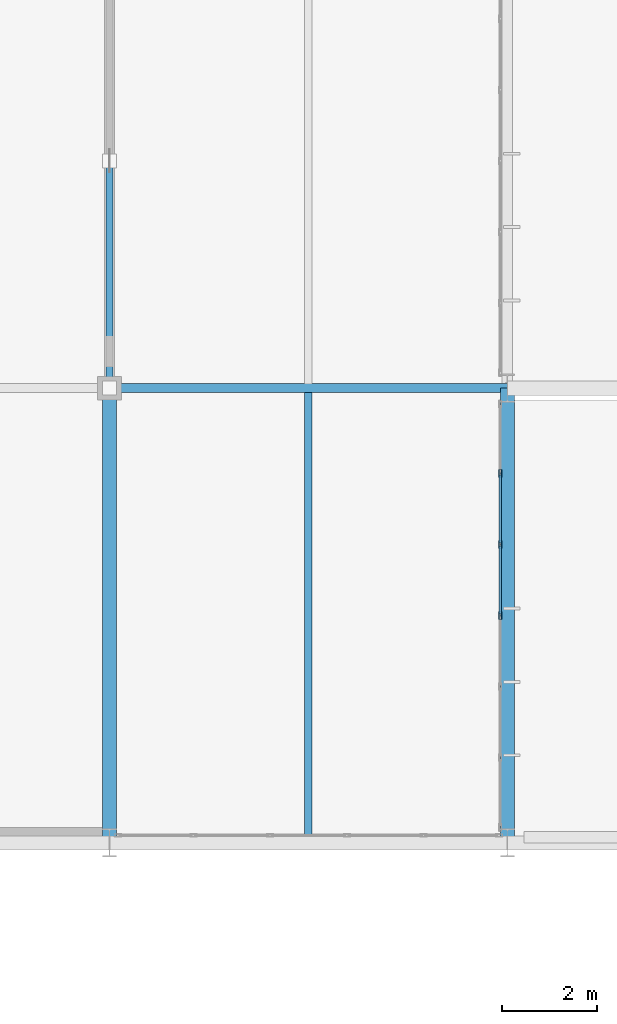
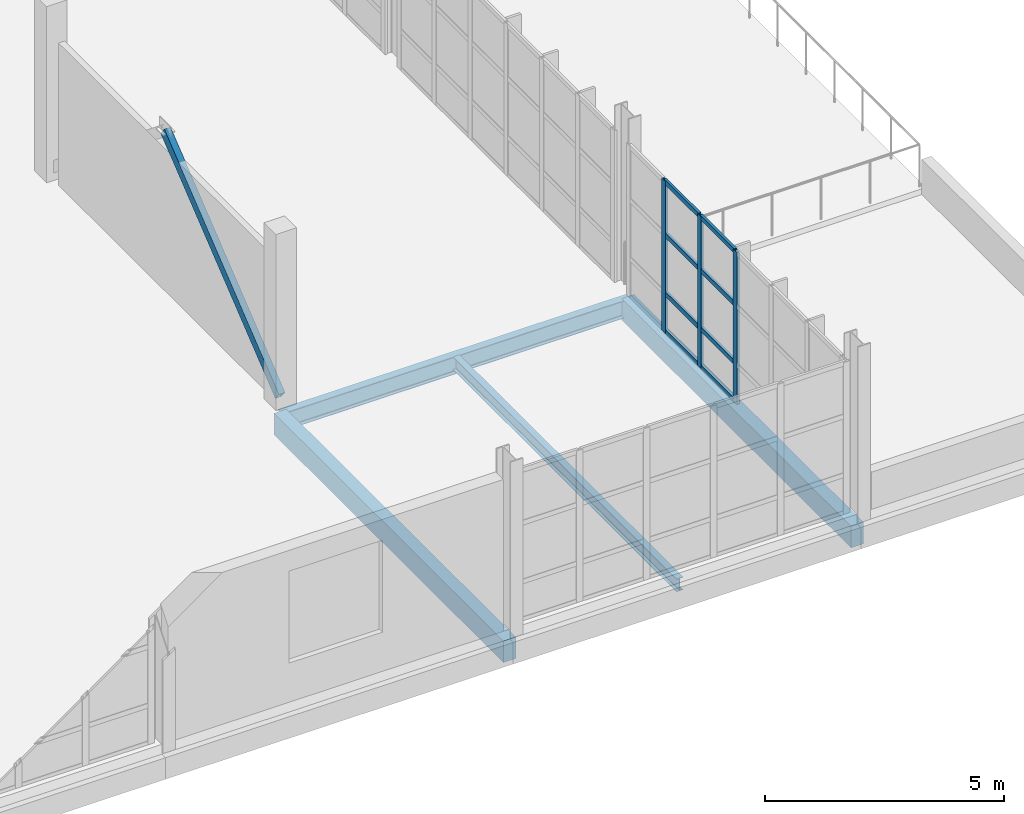
# One storey, part 66 of 109: 12 members, 4 beams, 1 element without a shape of its own.
"""IFC4 building model written with IfcOpenShell, lengths in metres."""

from ifc_helpers import new_model, si_unit, direction, frame, origin, origin_2d, place, context, subcontext, project, spatial, rectangle, hollow_rectangle, i_section, extrude, material, material_profile, profile_set, type_object, element, aggregate, save


model = new_model("IFC4")

# Units and contexts
model_context = context("Model", 3, precision=1e-05, world=origin(), true_north=direction((0.0, 1.0)))
body_context = subcontext(model_context, "Body", "Model", "MODEL_VIEW")
ifc_project = project(units=[si_unit("LENGTHUNIT", "METRE"), si_unit("AREAUNIT", "SQUARE_METRE"), si_unit("VOLUMEUNIT", "CUBIC_METRE"), si_unit("PLANEANGLEUNIT", "RADIAN"), si_unit("MASSUNIT", "GRAM", prefix="KILO")], contexts=[model_context])

# Site, building, storey
site_placement = place(None, origin())
site = spatial("IfcSite", under=ifc_project, at=site_placement, CompositionType="ELEMENT")
building_placement = place(site_placement, origin())
building = spatial("IfcBuilding", under=site, at=building_placement, Name="Veltarok Museum of Natural Sciences", CompositionType="ELEMENT")
storey_placement = place(building_placement, frame((0.0, 0.0, 17.39990234375)))
storey = spatial("IfcBuildingStorey", under=building, at=storey_placement, Name="L03", CompositionType="ELEMENT", Elevation=17.39990234375)

# Curtain wall, members
ifc_material_1 = material(Name="Low-iron triple insulated glass", Category="glass")
curtain_wall_type = type_object("IfcCurtainWallType", Name="Curtain Wall System CW-V5E-L03-A-900x388 (V5 East Lab L03 A-B 900x388cm)", PredefinedType="NOTDEFINED", material=ifc_material_1)
curtain_wall_placement = place(storey_placement, origin())
curtain_wall = element("IfcCurtainWall", 1, at=curtain_wall_placement, inside=storey, type_object=curtain_wall_type, Name="Curtain Wall CW-V5E-L03-A-900x388 CW-0115", PredefinedType="NOTDEFINED")
ifc_material_2 = material(Name="Thermally broken anodised aluminium", Category="aluminium")
ifc_material_profile_1 = material_profile(ifc_material_2, hollow_rectangle(XDim=0.06005859375, YDim=0.1201171875, WallThickness=0.0048828125, at=origin_2d()), Name="CW TRANSOM 60x120x5")
ifc_profile_set_1 = profile_set([ifc_material_profile_1], Name="Thermally broken anodised aluminium")
member_type_1 = type_object("IfcMemberType", Name="Curtain Wall Horizontal Transom 60x120x5", PredefinedType="USERDEFINED", material=ifc_profile_set_1)
member_1_placement = place(storey_placement, frame((157.449951171875, 4.830078125, 0.030029296875), z_axis=(0.0, 1.0, 0.0), x_axis=(-1.0, 0.0, 0.0)))
member_1 = element("IfcMember", 2, at=member_1_placement, type_object=member_type_1, Name="CW-V5E-L03-A-900x388 transom 4.1", ObjectType="TRANSOM", PredefinedType="USERDEFINED", context=body_context, shape_type="SweptSolid", body=[
    extrude(hollow_rectangle(XDim=0.06005859375, YDim=0.1201171875, WallThickness=0.0048828125, at=origin_2d()), origin(), (0.0, 0.0, 1.0), 1.43994140625),
])
member_2_placement = place(storey_placement, frame((157.449951171875, 4.830078125, 1.0), z_axis=(0.0, 1.0, 0.0), x_axis=(-1.0, 0.0, 0.0)))
member_2 = element("IfcMember", 3, at=member_2_placement, type_object=member_type_1, Name="CW-V5E-L03-A-900x388 transom 4.2", ObjectType="TRANSOM", PredefinedType="USERDEFINED", context=body_context, shape_type="SweptSolid", body=[
    extrude(hollow_rectangle(XDim=0.06005859375, YDim=0.1201171875, WallThickness=0.0048828125, at=origin_2d()), origin(), (0.0, 0.0, 1.0), 1.43994140625),
])
member_3_placement = place(storey_placement, frame((157.449951171875, 4.830078125, 2.5), z_axis=(0.0, 1.0, 0.0), x_axis=(-1.0, 0.0, 0.0)))
member_3 = element("IfcMember", 4, at=member_3_placement, type_object=member_type_1, Name="CW-V5E-L03-A-900x388 transom 4.3", ObjectType="TRANSOM", PredefinedType="USERDEFINED", context=body_context, shape_type="SweptSolid", body=[
    extrude(hollow_rectangle(XDim=0.06005859375, YDim=0.1201171875, WallThickness=0.0048828125, at=origin_2d()), origin(), (0.0, 0.0, 1.0), 1.43994140625),
])
member_4_placement = place(storey_placement, frame((157.449951171875, 4.830078125, 3.85009765625), z_axis=(0.0, 1.0, 0.0), x_axis=(-1.0, 0.0, 0.0)))
member_4 = element("IfcMember", 5, at=member_4_placement, type_object=member_type_1, Name="CW-V5E-L03-A-900x388 transom 4.4", ObjectType="TRANSOM", PredefinedType="USERDEFINED", context=body_context, shape_type="SweptSolid", body=[
    extrude(hollow_rectangle(XDim=0.06005859375, YDim=0.1201171875, WallThickness=0.0048828125, at=origin_2d()), origin(), (0.0, 0.0, 1.0), 1.43994140625),
])
member_5_placement = place(storey_placement, frame((157.449951171875, 6.330078125, 0.030029296875), z_axis=(0.0, 1.0, 0.0), x_axis=(-1.0, 0.0, 0.0)))
member_5 = element("IfcMember", 6, at=member_5_placement, type_object=member_type_1, Name="CW-V5E-L03-A-900x388 transom 5.1", ObjectType="TRANSOM", PredefinedType="USERDEFINED", context=body_context, shape_type="SweptSolid", body=[
    extrude(hollow_rectangle(XDim=0.06005859375, YDim=0.1201171875, WallThickness=0.0048828125, at=origin_2d()), origin(), (0.0, 0.0, 1.0), 1.43994140625),
])
member_6_placement = place(storey_placement, frame((157.449951171875, 6.330078125, 1.0), z_axis=(0.0, 1.0, 0.0), x_axis=(-1.0, 0.0, 0.0)))
member_6 = element("IfcMember", 7, at=member_6_placement, type_object=member_type_1, Name="CW-V5E-L03-A-900x388 transom 5.2", ObjectType="TRANSOM", PredefinedType="USERDEFINED", context=body_context, shape_type="SweptSolid", body=[
    extrude(hollow_rectangle(XDim=0.06005859375, YDim=0.1201171875, WallThickness=0.0048828125, at=origin_2d()), origin(), (0.0, 0.0, 1.0), 1.43994140625),
])
member_7_placement = place(storey_placement, frame((157.449951171875, 6.330078125, 2.5), z_axis=(0.0, 1.0, 0.0), x_axis=(-1.0, 0.0, 0.0)))
member_7 = element("IfcMember", 8, at=member_7_placement, type_object=member_type_1, Name="CW-V5E-L03-A-900x388 transom 5.3", ObjectType="TRANSOM", PredefinedType="USERDEFINED", context=body_context, shape_type="SweptSolid", body=[
    extrude(hollow_rectangle(XDim=0.06005859375, YDim=0.1201171875, WallThickness=0.0048828125, at=origin_2d()), origin(), (0.0, 0.0, 1.0), 1.43994140625),
])
member_8_placement = place(storey_placement, frame((157.449951171875, 6.330078125, 3.85009765625), z_axis=(0.0, 1.0, 0.0), x_axis=(-1.0, 0.0, 0.0)))
member_8 = element("IfcMember", 9, at=member_8_placement, type_object=member_type_1, Name="CW-V5E-L03-A-900x388 transom 5.4", ObjectType="TRANSOM", PredefinedType="USERDEFINED", context=body_context, shape_type="SweptSolid", body=[
    extrude(hollow_rectangle(XDim=0.06005859375, YDim=0.1201171875, WallThickness=0.0048828125, at=origin_2d()), origin(), (0.0, 0.0, 1.0), 1.43994140625),
])
ifc_material_profile_2 = material_profile(ifc_material_2, hollow_rectangle(XDim=0.06005859375, YDim=0.159912109375, WallThickness=0.0048828125, at=origin_2d()), Name="CW MULLION 60x160x5")
ifc_profile_set_2 = profile_set([ifc_material_profile_2], Name="Thermally broken anodised aluminium")
member_type_2 = type_object("IfcMemberType", Name="Curtain Wall Vertical Mullion 60x160x5", PredefinedType="MULLION", material=ifc_profile_set_2)
member_9_placement = place(storey_placement, frame((157.449951171875, 4.800048828125, 0.0), z_axis=(0.0, 0.0, 1.0), x_axis=(-1.0, 0.0, 0.0)))
member_9 = element("IfcMember", 10, at=member_9_placement, type_object=member_type_2, Name="CW-V5E-L03-A-900x388 mullion 4", PredefinedType="MULLION", context=body_context, shape_type="SweptSolid", body=[
    extrude(hollow_rectangle(XDim=0.06005859375, YDim=0.159912109375, WallThickness=0.0048828125, at=origin_2d()), origin(), (0.0, 0.0, 1.0), 3.880126953125),
])
member_10_placement = place(storey_placement, frame((157.449951171875, 6.300048828125, 0.0), z_axis=(0.0, 0.0, 1.0), x_axis=(-1.0, 0.0, 0.0)))
member_10 = element("IfcMember", 11, at=member_10_placement, type_object=member_type_2, Name="CW-V5E-L03-A-900x388 mullion 5", PredefinedType="MULLION", context=body_context, shape_type="SweptSolid", body=[
    extrude(hollow_rectangle(XDim=0.06005859375, YDim=0.159912109375, WallThickness=0.0048828125, at=origin_2d()), origin(), (0.0, 0.0, 1.0), 3.880126953125),
])
member_11_placement = place(storey_placement, frame((157.449951171875, 7.800048828125, 0.0), z_axis=(0.0, 0.0, 1.0), x_axis=(-1.0, 0.0, 0.0)))
member_11 = element("IfcMember", 12, at=member_11_placement, type_object=member_type_2, Name="CW-V5E-L03-A-900x388 mullion 6", PredefinedType="MULLION", context=body_context, shape_type="SweptSolid", body=[
    extrude(hollow_rectangle(XDim=0.06005859375, YDim=0.159912109375, WallThickness=0.0048828125, at=origin_2d()), origin(), (0.0, 0.0, 1.0), 3.880126953125),
])
aggregate(curtain_wall, [member_9, member_10, member_11, member_1, member_2, member_3, member_4, member_5, member_6, member_7, member_8])

# Beams
ifc_material_3 = material(Name="Precast concrete C40/50", Category="concrete")
ifc_material_profile_3 = material_profile(ifc_material_3, rectangle(XDim=0.300048828125, YDim=0.550048828125, at=origin_2d()), Name="RC 300x550")
ifc_profile_set_3 = profile_set([ifc_material_profile_3], Name="Precast concrete C40/50")
beam_type_1 = type_object("IfcBeamType", Name="East Wing Precast Spandrel RC 300x550", PredefinedType="SPANDREL", material=ifc_profile_set_3)
for number, where, z_axis, x_axis, name in (
    (13, (149.199951171875, 0.0, -0.52490234375), (0.0, 1.0, 0.0), (-1.0, 0.0, 0.0), "Beam BM-SP02 L03 18/A-B"),
    (14, (157.60009765625, 0.0, -0.534912109375), (0.0, 1.0, 0.0), (-1.0, 0.0, 0.0), "Beam BM-SP02 L03 19/A-B"),
):
    element("IfcBeam", number, at=place(storey_placement, frame(where, z_axis=z_axis, x_axis=x_axis)), inside=storey, type_object=beam_type_1, Name=name, PredefinedType="SPANDREL", context=body_context, shape_type="SweptSolid", body=[
        extrude(rectangle(XDim=0.300048828125, YDim=0.550048828125, at=origin_2d()), origin(), (0.0, 0.0, 1.0), 9.60009765625),
    ])
ifc_material_4 = material(Name="Steel S355J2", Category="steel")
ifc_material_profile_4 = material_profile(ifc_material_4, i_section(OverallWidth=0.18994140625, OverallDepth=0.449951171875, WebThickness=0.009521484375, FlangeThickness=0.0146484375, FilletRadius=0.02099609375, at=origin_2d()), Name="IPE 450")
ifc_profile_set_4 = profile_set([ifc_material_profile_4], Name="Steel S355J2")
beam_type_2 = type_object("IfcBeamType", Name="Laboratory Floor Girder IPE 450", PredefinedType="BEAM", material=ifc_profile_set_4)
beam_1_placement = place(storey_placement, frame((149.199951171875, 9.60009765625, -0.48486328125), z_axis=(1.0, 0.0, 0.0), x_axis=(0.0, 1.0, 0.0)))
element("IfcBeam", 15, at=beam_1_placement, inside=storey, type_object=beam_type_2, Name="Beam BM-G05 L03 18-19/B", PredefinedType="BEAM", context=body_context, shape_type="SweptSolid", body=[
    extrude(i_section(OverallWidth=0.18994140625, OverallDepth=0.449951171875, WebThickness=0.009521484375, FlangeThickness=0.0146484375, FilletRadius=0.02099609375, at=origin_2d()), origin(), (0.0, 0.0, 1.0), 8.400146484375),
])
ifc_material_profile_5 = material_profile(ifc_material_4, i_section(OverallWidth=0.159912109375, OverallDepth=0.330078125, WebThickness=0.007568359375, FlangeThickness=0.011474609375, FilletRadius=0.01806640625, at=origin_2d()), Name="IPE 330")
ifc_profile_set_5 = profile_set([ifc_material_profile_5], Name="Steel S355J2")
beam_type_3 = type_object("IfcBeamType", Name="Medium-Bay Composite Joist IPE 330", PredefinedType="JOIST", material=ifc_profile_set_5)
beam_2_placement = place(storey_placement, frame((153.39990234375, 0.14794921875, -0.414794921875), z_axis=(0.0, 1.0, 0.0), x_axis=(-1.0, 0.0, 0.0)))
element("IfcBeam", 16, at=beam_2_placement, inside=storey, type_object=beam_type_3, Name="Secondary Joist BM-J02 L03 18-19/A-B.1", PredefinedType="JOIST", context=body_context, shape_type="SweptSolid", body=[
    extrude(i_section(OverallWidth=0.159912109375, OverallDepth=0.330078125, WebThickness=0.007568359375, FlangeThickness=0.011474609375, FilletRadius=0.01806640625, at=origin_2d()), origin(), (0.0, 0.0, 1.0), 9.359130859375),
])

# Member
ifc_material_5 = material(Name="Oxide-red painted Steel S355J2", Category="steel")
ifc_material_profile_6 = material_profile(ifc_material_5, hollow_rectangle(XDim=0.14990234375, YDim=0.25, WallThickness=0.010009765625, at=origin_2d()), Name="RHS 250x150x10")
ifc_profile_set_6 = profile_set([ifc_material_profile_6], Name="Oxide-red painted Steel S355J2")
member_type_3 = type_object("IfcMemberType", Name="Perimeter Frame Lateral Brace RHS 250x150x10", PredefinedType="BRACE", material=ifc_profile_set_6)
member_12_placement = place(storey_placement, frame((149.199951171875, 9.60009765625, 0.150146484375), z_axis=(0.0, 0.778487310592, 0.627660343855), x_axis=(-1.0, 0.0, 0.0)))
element("IfcMember", 17, at=member_12_placement, inside=storey, type_object=member_type_3, Name="Chevron Lateral Brace L03 18/B-C", PredefinedType="BRACE", context=body_context, shape_type="SweptSolid", body=[
    extrude(hollow_rectangle(XDim=0.14990234375, YDim=0.25, WallThickness=0.010009765625, at=origin_2d()), origin(), (0.0, 0.0, 1.0), 6.16552734375),
])

save(model, "model.ifc")
